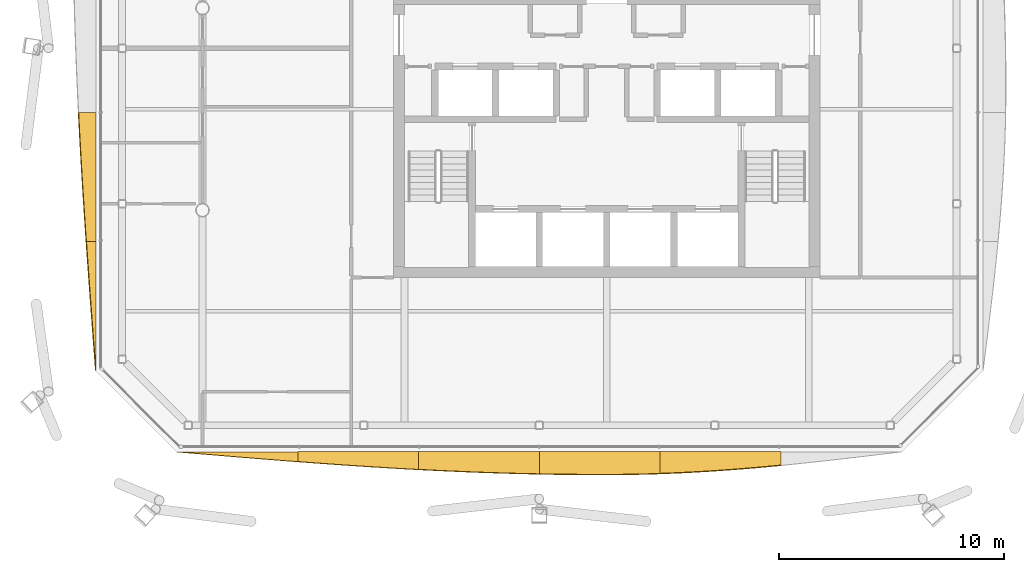
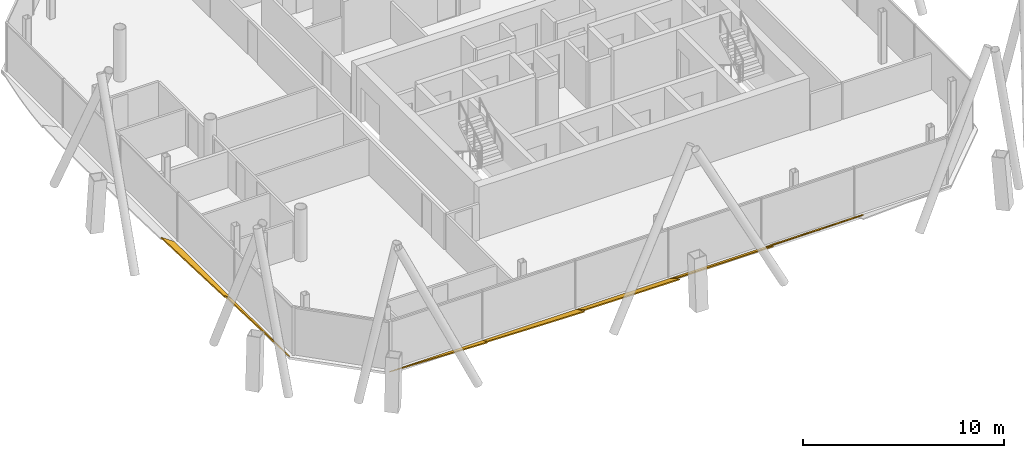
# One storey, part 17 of 20: 7 shading devices.
"""IFC4 building model written with IfcOpenShell, lengths in metres."""

from ifc_helpers import new_model, si_unit, direction, frame, origin, place, context, subcontext, project, spatial, polyline, outline, extrude, material, layer, layer_set, type_object, element, save


model = new_model("IFC4")

# Units and contexts
model_context = context("Model", 3, precision=1e-05, world=origin(), true_north=direction((0.0, 1.0)))
body_context = subcontext(model_context, "Body", "Model", "MODEL_VIEW")
ifc_project = project(units=[si_unit("LENGTHUNIT", "METRE"), si_unit("AREAUNIT", "SQUARE_METRE"), si_unit("VOLUMEUNIT", "CUBIC_METRE"), si_unit("PLANEANGLEUNIT", "RADIAN"), si_unit("MASSUNIT", "GRAM", prefix="KILO")], contexts=[model_context])

# Site, building, storey
site_placement = place(None, origin())
site = spatial("IfcSite", under=ifc_project, at=site_placement, CompositionType="ELEMENT")
building_placement = place(site_placement, origin())
building = spatial("IfcBuilding", under=site, at=building_placement, Name="Tskaro Facet Tower", CompositionType="ELEMENT")
storey_placement = place(building_placement, frame((0.0, 0.0, 200.550048828125)))
storey = spatial("IfcBuildingStorey", under=building, at=storey_placement, Name="L51", CompositionType="ELEMENT", Elevation=200.550048828125)

# Shading devices
ifc_material = material(Name="Bronze anodised aluminium 6063-T6", Category="aluminium")
ifc_layer = layer(ifc_material, 0.06005859375, Name="Bronze anodised aluminium 6063-T6")
ifc_layer_set = layer_set([ifc_layer], Name="Bronze anodised aluminium 6063-T6")
shading_device_type = type_object("IfcShadingDeviceType", Name="Bronze sun blade (FN1)", PredefinedType="USERDEFINED", material=ifc_layer_set)
shading_device_1_placement = place(storey_placement, frame((-19.1298828125, -19.762451171875, 0.056396484375), z_axis=(-1.30482e-05, 0.341810493406, 0.939768900543), x_axis=(0.999999999915, 4.460012e-06, 1.2262292e-05)))
element("IfcShadingDevice", 1, at=shading_device_1_placement, inside=storey, type_object=shading_device_type, Name="Fin blade south 1", ObjectType="FIN", PredefinedType="USERDEFINED", context=body_context, shape_type="SweptSolid", body=[
    extrude(outline(polyline([(0.0, 0.0), (5.376464843292314, -4.554042862410694e-21), (5.376464844217989, -0.46478642442390455), (4.704345702885052, -0.4099498409214879), (4.032470702722868, -0.35356974316355205), (3.3603515622085913, -0.29641788827785664), (2.688232420062347, -0.23818139067014915), (2.0161132811827125, -0.17925658576218098), (1.3439941414870944, -0.11978945949320685), (0.6718749998866225, -0.0600094476299802), (0.0, 0.0)])), origin(), (0.0, 0.0, -1.0), 0.06005859375),
])
shading_device_2_placement = place(storey_placement, frame((-13.75341796875, -19.757568359375, 0.054443359375), z_axis=(1.185383e-05, 0.422439420143, 0.906391160686), x_axis=(0.99999999993, -5.007525e-06, -1.0744206e-05)))
element("IfcShadingDevice", 2, at=shading_device_2_placement, inside=storey, type_object=shading_device_type, Name="Fin blade south 2", ObjectType="FIN", PredefinedType="USERDEFINED", context=body_context, shape_type="SweptSolid", body=[
    extrude(outline(polyline([(0.0, 0.0), (5.376708983997251, 0.0), (5.376708984862899, -0.8705200191214041), (4.704589843298349, -0.8298862728603671), (4.032470703846422, -0.7867452713386842), (3.3605957032864646, -0.7409788622759412), (2.688476561413035, -0.693354041009643), (2.016357421652229, -0.6432219644826991), (1.3442382812029328, -0.5912314757521998), (0.6721191400651467, -0.5373825748181453), (-5.385892168496927e-10, -0.4818965485850155), (0.0, 0.0)])), origin(), (0.0, 0.0, -1.0), 0.06005859375),
])
shading_device_3_placement = place(storey_placement, frame((-8.376708984375, -19.7529296875, 0.052001953125), z_axis=(-1.9471078e-05, 0.499909034252, 0.866077916295), x_axis=(0.99999999981, 9.733768e-06, 1.686347e-05)))
element("IfcShadingDevice", 3, at=shading_device_3_placement, inside=storey, type_object=shading_device_type, Name="Fin blade south 3", ObjectType="FIN", PredefinedType="USERDEFINED", context=body_context, shape_type="SweptSolid", body=[
    extrude(outline(polyline([(0.0, 0.0), (5.376708983355783, 0.0), (5.376708985220746, -1.1411549851307723), (4.704589845587012, -1.123985168454465), (4.032470701533709, -1.1033016292995725), (3.360351561294956, -1.0793484638742716), (2.688476561378645, -1.052003624074474), (2.016357420534871, -1.0212671099001795), (1.3442382811292368, -0.9874724142592999), (0.6721191407853347, -0.9508309819556582), (-2.237485475298226e-09, -0.9110093200813427), (0.0, 0.0)])), origin(), (0.0, 0.0, -1.0), 0.06005859375),
])
shading_device_4_placement = place(storey_placement, frame((-3.0, -19.74853515625, 0.049072265625), z_axis=(1.2205556e-05, 0.57360952401, 0.819128874974), x_axis=(0.999999999926, -7.001223e-06, -9.997923e-06)))
element("IfcShadingDevice", 4, at=shading_device_4_placement, inside=storey, type_object=shading_device_type, Name="Fin blade south 4", ObjectType="FIN", PredefinedType="USERDEFINED", context=body_context, shape_type="SweptSolid", body=[
    extrude(outline(polyline([(0.0, 0.0), (5.376708983974501, 4.554249657563832e-21), (5.376708984872764, -1.1888663289046963), (4.704589842155261, -1.2137273295265252), (4.03247070308277, -1.2309279778942341), (3.360351561795824, -1.240208350124518), (2.903320312321968, -1.2419684114883902), (2.6882324217129896, -1.2419684114883902), (2.016357422488117, -1.2386482713961524), (1.3442382816540608, -1.2318080085761702), (0.6721191405674188, -1.221107599005229), (-7.718087994562384e-10, -1.2065470426833282), (0.0, 0.0)])), origin(), (0.0, 0.0, -1.0), 0.06005859375),
])
shading_device_5_placement = place(storey_placement, frame((2.376708984375, -19.744384765625, 0.0458984375), z_axis=(3.001425e-06, 0.642774940343, 0.766055073776), x_axis=(0.999999999995, -1.929241e-06, -2.299257e-06)))
element("IfcShadingDevice", 5, at=shading_device_5_placement, inside=storey, type_object=shading_device_type, Name="Fin blade south 5", ObjectType="FIN", PredefinedType="USERDEFINED", context=body_context, shape_type="SweptSolid", body=[
    extrude(outline(polyline([(0.0, 0.0), (5.376708984350782, -2.277124828781916e-21), (5.37670898449307, -0.7916073679075071), (4.7045898440504486, -0.8741001477326908), (4.032470702988507, -0.9510294899375438), (3.3603515624299285, -1.0220815395707257), (2.688232422084379, -1.0863813661874049), (2.0161132814808522, -1.143741944623084), (1.3442382807733415, -1.1939762497132662), (0.6721191403958752, -1.2366134990309408), (3.1439562524545873e-11, -1.2712796422471135), (0.0, 0.0)])), origin(), (0.0, 0.0, -1.0), 0.06005859375),
])
shading_device_6_placement = place(storey_placement, frame((-22.74853515625, -4.660888671875, 0.049072265625), z_axis=(0.573558756595, -2.1657231e-05, 0.819164423217), x_axis=(-1.2421695e-05, -0.999999999765, -1.7740833e-05)))
element("IfcShadingDevice", 6, at=shading_device_6_placement, inside=storey, type_object=shading_device_type, Name="Fin blade west 4", ObjectType="FIN", PredefinedType="USERDEFINED", context=body_context, shape_type="SweptSolid", body=[
    extrude(outline(polyline([(0.0, 0.0), (5.73461913928013, 0.0), (5.734619140151222, -0.511699936665532), (5.017578126144917, -0.5709622382875489), (4.3007812475614875, -0.6286045050436861), (3.5839843754711467, -0.6845466702615686), (2.867187499477357, -0.7385287803059205), (2.150390623911376, -0.7904108061833999), (1.4335937487732036, -0.8401927478940066), (0.7167968753614575, -0.88753458513009), (-3.6877603352820335e-09, -0.9323763555706828), (0.0, 0.0)])), origin(), (0.0, 0.0, -1.0), 0.06005859375),
])
shading_device_7_placement = place(storey_placement, frame((-22.744384765625, -10.3955078125, 0.0458984375), z_axis=(0.642672612201, 9.488648e-06, 0.766140922701), x_axis=(6.098094e-06, -0.999999999955, 7.269642e-06)))
element("IfcShadingDevice", 7, at=shading_device_7_placement, inside=storey, type_object=shading_device_type, Name="Fin blade west 5", ObjectType="FIN", PredefinedType="USERDEFINED", context=body_context, shape_type="SweptSolid", body=[
    extrude(outline(polyline([(0.0, 0.0), (5.7343749997418545, -4.8572045569113785e-21), (5.017578125866532, -0.07052105707989452), (4.300781248441579, -0.1407283091733489), (3.583984373994212, -0.21056146901937373), (2.8671875007496155, -0.279863634124749), (2.1503906251581584, -0.3483209995030345), (1.4335937504834504, -0.4159034215237357), (0.7167968746646526, -0.4821100490766975), (-5.234195408883157e-10, -0.54709778465514), (0.0, 0.0)])), origin(), (0.0, 0.0, -1.0), 0.06005859375),
])

save(model, "model.ifc")
